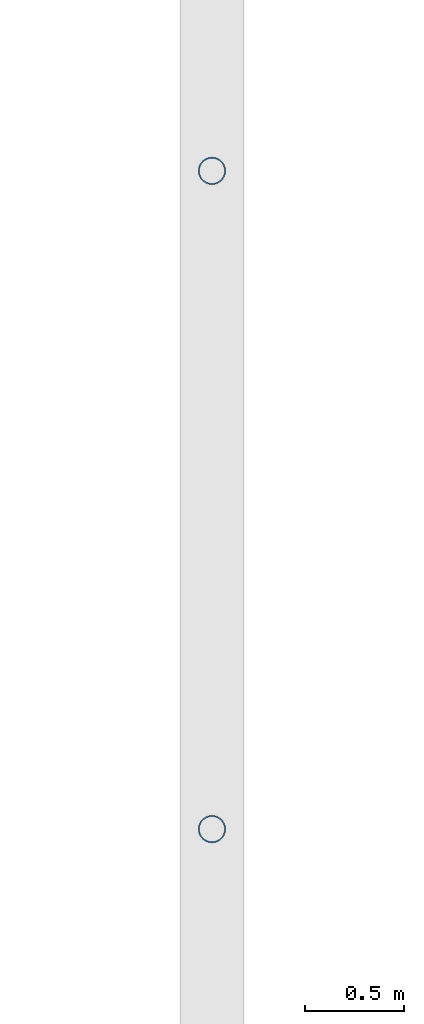
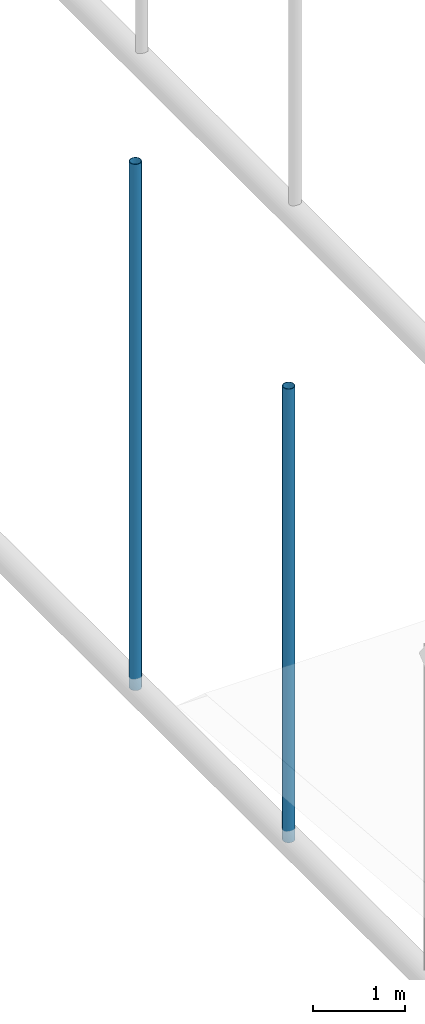
# One storey, part 45 of 116: 2 members.
"""IFC4 building model written with IfcOpenShell, lengths in metres."""

from ifc_helpers import new_model, si_unit, direction, frame, origin, origin_2d, place, context, subcontext, project, spatial, hollow_circle, extrude, material, material_profile, profile_set, type_object, element, save


model = new_model("IFC4")

# Units and contexts
model_context = context("Model", 3, precision=1e-05, world=origin(), true_north=direction((0.0, 1.0)))
body_context = subcontext(model_context, "Body", "Model", "MODEL_VIEW")
ifc_project = project(units=[si_unit("LENGTHUNIT", "METRE"), si_unit("AREAUNIT", "SQUARE_METRE"), si_unit("VOLUMEUNIT", "CUBIC_METRE"), si_unit("PLANEANGLEUNIT", "RADIAN"), si_unit("MASSUNIT", "GRAM", prefix="KILO")], contexts=[model_context])

# Site, building, storey
site_placement = place(None, origin())
site = spatial("IfcSite", under=ifc_project, at=site_placement, CompositionType="ELEMENT")
building_placement = place(site_placement, origin())
building = spatial("IfcBuilding", under=site, at=building_placement, Name="Varnakota Square Police Headquarters", CompositionType="ELEMENT")
storey_placement = place(building_placement, frame((0.0, 0.0, 9.300048828125)))
storey = spatial("IfcBuildingStorey", under=building, at=storey_placement, Name="L02", CompositionType="ELEMENT", Elevation=9.300048828125)

# Members
ifc_material = material(Name="Steel IS 2062 Grade 350", Category="steel")
ifc_material_profile = material_profile(ifc_material, hollow_circle(Radius=0.06982421875, WallThickness=0.006103515625, at=origin_2d()), Name="CHS 139.7x6.0")
ifc_profile_set = profile_set([ifc_material_profile], Name="Steel IS 2062 Grade 350")
member_type = type_object("IfcMemberType", Name="MEM-HNG-CHS139", PredefinedType="STRUT", material=ifc_profile_set)
member_1_placement = place(storey_placement, frame((72.0, 17.20361328125, -0.150146484375), z_axis=(0.0, 0.0, 1.0), x_axis=(1.0, 0.0, 0.0)))
element("IfcMember", 1, at=member_1_placement, inside=storey, type_object=member_type, Name="Barrel vault hanger strut V1-R04-N3", PredefinedType="STRUT", context=body_context, shape_type="SweptSolid", body=[
    extrude(hollow_circle(Radius=0.06982421875, WallThickness=0.006103515625, at=origin_2d()), origin(), (0.0, 0.0, 1.0), 6.035400390625),
])
member_2_placement = place(storey_placement, frame((72.0, 20.54248046875, -0.150146484375), z_axis=(0.0, 0.0, 1.0), x_axis=(1.0, 0.0, 0.0)))
element("IfcMember", 2, at=member_2_placement, inside=storey, type_object=member_type, Name="Barrel vault hanger strut V1-R04-N4", PredefinedType="STRUT", context=body_context, shape_type="SweptSolid", body=[
    extrude(hollow_circle(Radius=0.06982421875, WallThickness=0.006103515625, at=origin_2d()), origin(), (0.0, 0.0, 1.0), 7.0),
])

save(model, "model.ifc")
